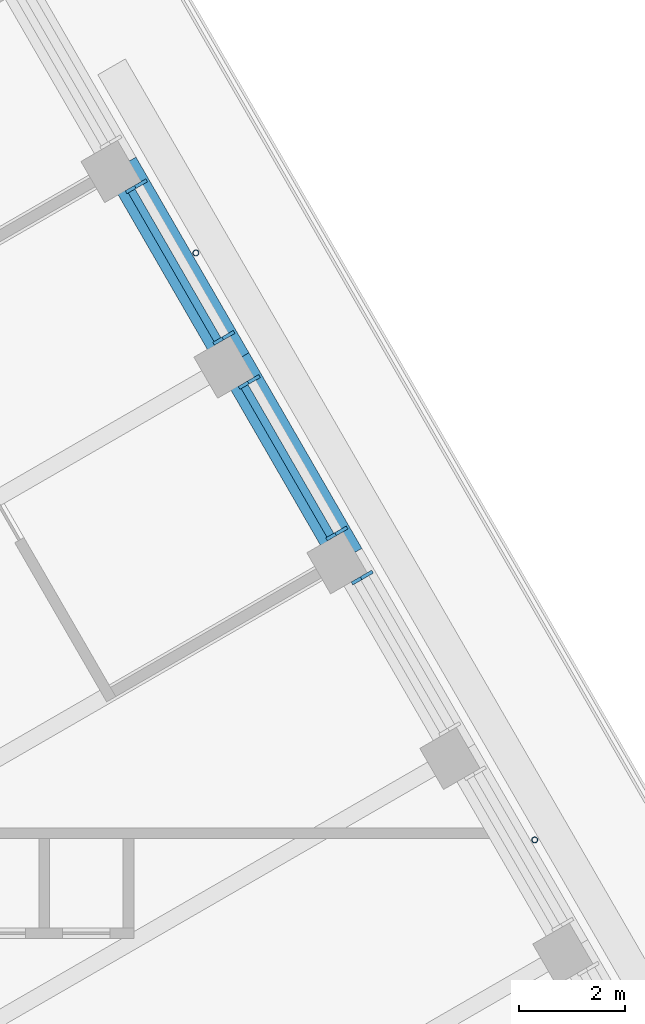
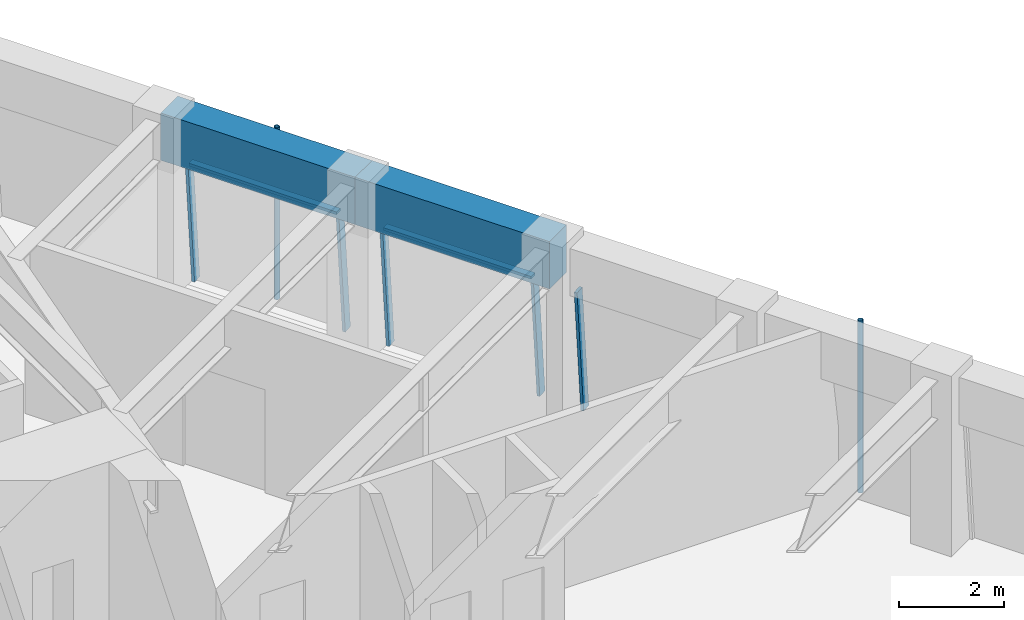
# One storey, part 10 of 19: 9 members, 2 beams, 3 elements without a shape of their own.
"""IFC4 building model written with IfcOpenShell, lengths in metres."""

from ifc_helpers import new_model, si_unit, direction, frame, origin, origin_2d, place, context, subcontext, project, spatial, rectangle, hollow_circle, extrude, material, material_profile, profile_set, type_object, element, aggregate, save


model = new_model("IFC4")

# Units and contexts
model_context = context("Model", 3, precision=1e-05, world=origin(), true_north=direction((0.0, 1.0)))
body_context = subcontext(model_context, "Body", "Model", "MODEL_VIEW")
ifc_project = project(units=[si_unit("LENGTHUNIT", "METRE"), si_unit("AREAUNIT", "SQUARE_METRE"), si_unit("VOLUMEUNIT", "CUBIC_METRE"), si_unit("PLANEANGLEUNIT", "RADIAN"), si_unit("MASSUNIT", "GRAM", prefix="KILO")], contexts=[model_context])

# Site, building, storey
site_placement = place(None, origin())
site = spatial("IfcSite", under=ifc_project, at=site_placement, CompositionType="ELEMENT")
building_placement = place(site_placement, origin())
building = spatial("IfcBuilding", under=site, at=building_placement, Name="Tarfa Lantern Tower", CompositionType="ELEMENT")
storey_placement = place(building_placement, frame((0.0, 0.0, 361.89990234375)))
storey = spatial("IfcBuildingStorey", under=building, at=storey_placement, Name="L82", CompositionType="ELEMENT", Elevation=361.89990234375)

# Curtain wall, member
ifc_material_1 = material(Name="Aluminium framed curtain wall", Category="aluminium")
curtain_wall_type = type_object("IfcCurtainWallType", Name="CW4 CANTED GLAZING EXECUTIVE ZONE 2900", PredefinedType="USERDEFINED", material=ifc_material_1)
curtain_wall_1_placement = place(storey_placement, origin())
curtain_wall_1 = element("IfcCurtainWall", 1, at=curtain_wall_1_placement, inside=storey, type_object=curtain_wall_type, Name="CW4 NE L82", ObjectType="CURTAIN WALL", PredefinedType="USERDEFINED")
ifc_material_2 = material(Name="Aluminium mullion", Category="aluminium")
ifc_material_profile_1 = material_profile(ifc_material_2, rectangle(XDim=0.06494140625, YDim=0.199951171875, at=origin_2d()), Name="AL MULLION 65x200")
ifc_profile_set_1 = profile_set([ifc_material_profile_1], Name="Aluminium mullion")
member_type_1 = type_object("IfcMemberType", Name="CWM1 MULLION 65x200", PredefinedType="MULLION", material=ifc_profile_set_1)
member_1_placement = place(storey_placement, frame((23.32080078125, 12.9072265625, 0.0), z_axis=(-0.074393603155, -0.042941967097, 0.996303959277), x_axis=(0.499919672301, -0.866071776036, 0.0)))
member_1 = element("IfcMember", 2, at=member_1_placement, type_object=member_type_1, Name="CW4 mullion 2", PredefinedType="MULLION", context=body_context, shape_type="SweptSolid", body=[
    extrude(rectangle(XDim=0.06494140625, YDim=0.199951171875, at=origin_2d()), origin(), (0.0, 0.0, 1.0), 2.910888671875),
])
aggregate(curtain_wall_1, [member_1])

# Curtain wall, members
curtain_wall_2_placement = place(storey_placement, origin())
curtain_wall_2 = element("IfcCurtainWall", 3, at=curtain_wall_2_placement, inside=storey, type_object=curtain_wall_type, Name="CW4 NE L82", ObjectType="CURTAIN WALL", PredefinedType="USERDEFINED")
member_2_placement = place(storey_placement, frame((22.83837890625, 13.742919921875, 0.0), z_axis=(-0.074393603155, -0.042941967097, 0.996303959277), x_axis=(0.499919672301, -0.866071776036, 0.0)))
member_2 = element("IfcMember", 4, at=member_2_placement, type_object=member_type_1, Name="CW4 mullion 1", PredefinedType="MULLION", context=body_context, shape_type="SweptSolid", body=[
    extrude(rectangle(XDim=0.06494140625, YDim=0.199951171875, at=origin_2d()), origin(), (0.0, 0.0, 1.0), 2.910888671875),
])
member_3_placement = place(storey_placement, frame((21.179931640625, 16.615478515625, 0.0), z_axis=(-0.074393603155, -0.042941967097, 0.996303959277), x_axis=(0.499919672301, -0.866071776036, 0.0)))
member_3 = element("IfcMember", 5, at=member_3_placement, type_object=member_type_1, Name="CW4 mullion 2", PredefinedType="MULLION", context=body_context, shape_type="SweptSolid", body=[
    extrude(rectangle(XDim=0.06494140625, YDim=0.199951171875, at=origin_2d()), origin(), (0.0, 0.0, 1.0), 2.910888671875),
])

curtain_wall_3_placement = place(storey_placement, origin())
curtain_wall_3 = element("IfcCurtainWall", 6, at=curtain_wall_3_placement, inside=storey, type_object=curtain_wall_type, Name="CW4 NE L82", ObjectType="CURTAIN WALL", PredefinedType="USERDEFINED")
member_4_placement = place(storey_placement, frame((20.697265625, 17.451171875, 0.0), z_axis=(-0.074393603155, -0.042941967097, 0.996303959277), x_axis=(0.499919672301, -0.866071776036, 0.0)))
member_4 = element("IfcMember", 7, at=member_4_placement, type_object=member_type_1, Name="CW4 mullion 1", PredefinedType="MULLION", context=body_context, shape_type="SweptSolid", body=[
    extrude(rectangle(XDim=0.06494140625, YDim=0.199951171875, at=origin_2d()), origin(), (0.0, 0.0, 1.0), 2.910888671875),
])
member_5_placement = place(storey_placement, frame((19.038818359375, 20.32373046875, 0.0), z_axis=(-0.074393603155, -0.042941967097, 0.996303959277), x_axis=(0.499919672301, -0.866071776036, 0.0)))
member_5 = element("IfcMember", 8, at=member_5_placement, type_object=member_type_1, Name="CW4 mullion 2", PredefinedType="MULLION", context=body_context, shape_type="SweptSolid", body=[
    extrude(rectangle(XDim=0.06494140625, YDim=0.199951171875, at=origin_2d()), origin(), (0.0, 0.0, 1.0), 2.910888671875),
])

# Member
ifc_material_3 = material(Name="Aluminium transom", Category="aluminium")
ifc_material_profile_2 = material_profile(ifc_material_3, rectangle(XDim=0.14990234375, YDim=0.06494140625, at=origin_2d()), Name="AL TRANSOM 150x65")
ifc_profile_set_2 = profile_set([ifc_material_profile_2], Name="Aluminium transom")
member_type_2 = type_object("IfcMemberType", Name="CWT1 TRANSOM 150x65", PredefinedType="USERDEFINED", material=ifc_profile_set_2)
member_6_placement = place(storey_placement, frame((22.60791015625, 13.6474609375, 2.86767578125), z_axis=(-0.500014901547, 0.866016800201, 0.0), x_axis=(-0.866016800201, -0.500014901547, 0.0)))
member_6 = element("IfcMember", 9, at=member_6_placement, type_object=member_type_2, Name="CW4 transom 1.2", ObjectType="TRANSOM", PredefinedType="USERDEFINED", context=body_context, shape_type="SweptSolid", body=[
    extrude(rectangle(XDim=0.14990234375, YDim=0.06494140625, at=origin_2d()), origin(), (0.0, 0.0, 1.0), 3.251953125),
])

aggregate(curtain_wall_2, [member_2, member_3, member_6])

member_7_placement = place(storey_placement, frame((20.467041015625, 17.355712890625, 2.86767578125), z_axis=(-0.499982393232, 0.866035568818, 0.0), x_axis=(-0.866035568818, -0.499982393232, 0.0)))
member_7 = element("IfcMember", 10, at=member_7_placement, type_object=member_type_2, Name="CW4 transom 1.2", ObjectType="TRANSOM", PredefinedType="USERDEFINED", context=body_context, shape_type="SweptSolid", body=[
    extrude(rectangle(XDim=0.14990234375, YDim=0.06494140625, at=origin_2d()), origin(), (0.0, 0.0, 1.0), 3.251953125),
])

aggregate(curtain_wall_3, [member_4, member_5, member_7])

# Beams
ifc_material_4 = material(Name="Concrete C80/95", Category="concrete")
ifc_material_profile_3 = material_profile(ifc_material_4, rectangle(XDim=0.64990234375, YDim=1.10009765625, at=origin_2d()), Name="RC 650x1100")
ifc_profile_set_3 = profile_set([ifc_material_profile_3], Name="Concrete C80/95")
beam_type = type_object("IfcBeamType", Name="EB4 RC 650x1100", PredefinedType="SPANDREL", material=ifc_profile_set_3)
for number, where, z_axis, x_axis, name in (
    (11, (22.923583984375, 13.235107421875, 3.4501953125), (-0.499984039138, 0.866034618596, 0.0), (-0.866034618596, -0.499984039138, 0.0), "Edge beam NE3"),
    (12, (20.78271484375, 16.943359375, 3.4501953125), (-0.500026801138, 0.866009929587, 0.0), (-0.866009929587, -0.500026801138, 0.0), "Edge beam NE4"),
):
    element("IfcBeam", number, at=place(storey_placement, frame(where, z_axis=z_axis, x_axis=x_axis)), inside=storey, type_object=beam_type, Name=name, PredefinedType="SPANDREL", context=body_context, shape_type="SweptSolid", body=[
        extrude(rectangle(XDim=0.64990234375, YDim=1.10009765625, at=origin_2d()), origin(), (0.0, 0.0, 1.0), 4.281982421875),
    ])

# Members
ifc_material_5 = material(Name="Steel S355", Category="steel")
ifc_material_profile_4 = material_profile(ifc_material_5, hollow_circle(Radius=0.05712890625, WallThickness=0.00634765625, at=origin_2d()), Name="CHS114.3x6.3")
ifc_profile_set_4 = profile_set([ifc_material_profile_4], Name="Steel S355")
member_type_3 = type_object("IfcMemberType", Name="TR1 GREEN WALL TRELLIS CHS114.3x6.3", PredefinedType="USERDEFINED", material=ifc_profile_set_4)
for number, where, z_axis, x_axis, name in (
    (13, (26.481689453125, 7.87255859375, 0.0), (0.0, 0.0, 1.0), (1.0, 0.0, 0.0), "Trellis post NE 1"),
    (14, (20.05859375, 18.99755859375, 0.0), (0.0, 0.0, 1.0), (1.0, 0.0, 0.0), "Trellis post NE 2"),
):
    element("IfcMember", number, at=place(storey_placement, frame(where, z_axis=z_axis, x_axis=x_axis)), inside=storey, type_object=member_type_3, Name=name, ObjectType="TRELLIS", PredefinedType="USERDEFINED", context=body_context, shape_type="SweptSolid", body=[
        extrude(hollow_circle(Radius=0.05712890625, WallThickness=0.00634765625, at=origin_2d()), origin(), (0.0, 0.0, 1.0), 4.0),
    ])

save(model, "model.ifc")
